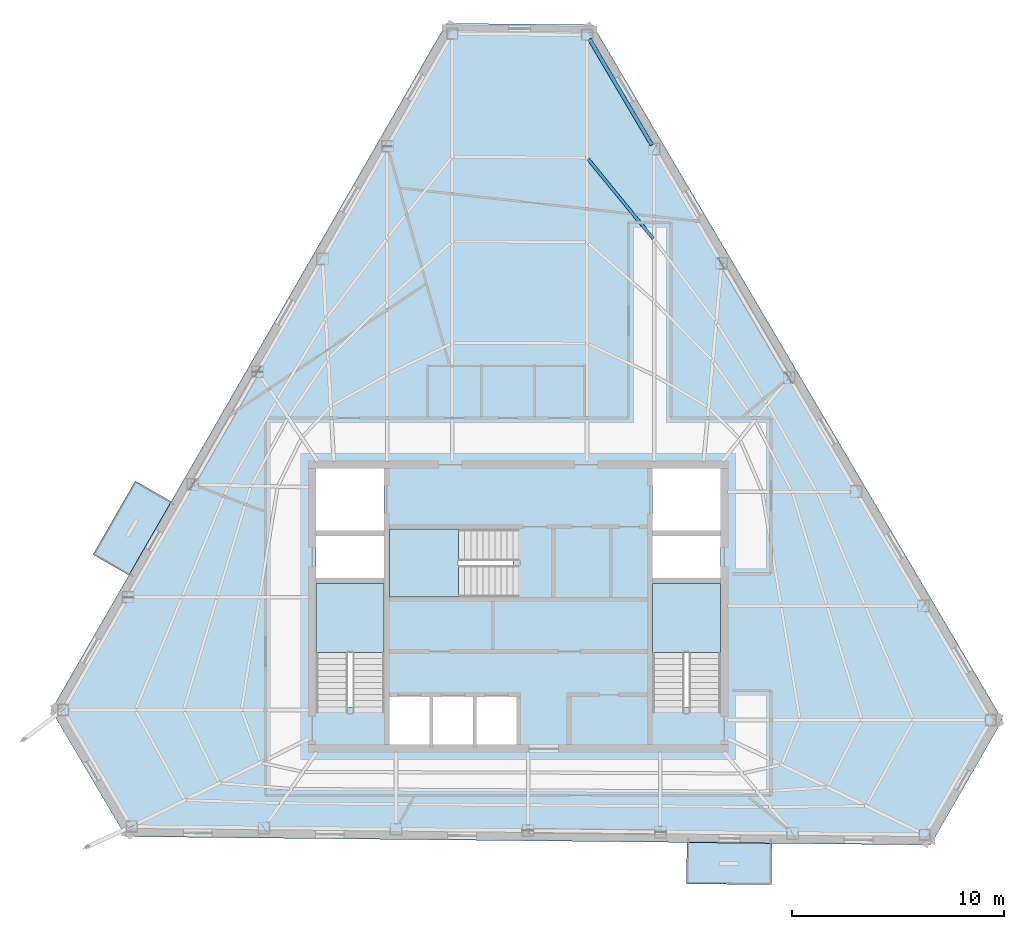
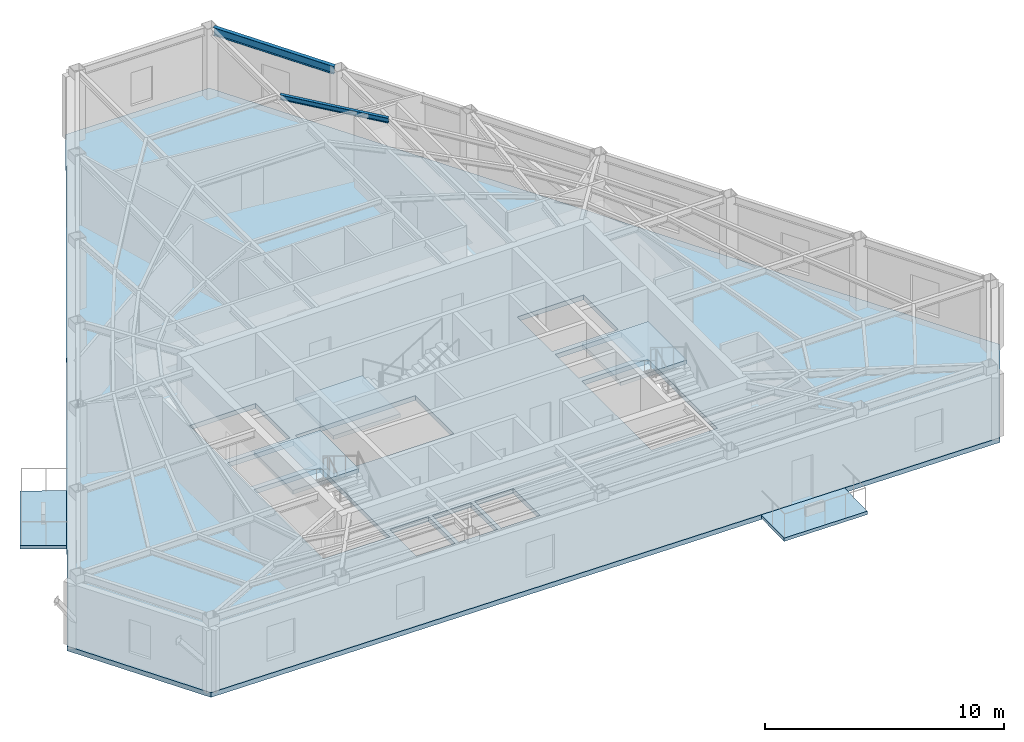
# One storey, part 3 of 11: 6 slabs, 2 beams, 3 elements without a shape of their own.
"""IFC4 building model written with IfcOpenShell, lengths in metres."""

from ifc_helpers import new_model, si_unit, direction, frame, origin, origin_2d, place, context, subcontext, project, spatial, polyline, i_section, outline, extrude, material, layer, layer_set, material_profile, profile_set, type_object, element, aggregate, save


model = new_model("IFC4")

# Units and contexts
model_context = context("Model", 3, precision=1e-05, world=origin(), true_north=direction((0.0, 1.0)))
body_context = subcontext(model_context, "Body", "Model", "MODEL_VIEW")
ifc_project = project(units=[si_unit("LENGTHUNIT", "METRE"), si_unit("AREAUNIT", "SQUARE_METRE"), si_unit("VOLUMEUNIT", "CUBIC_METRE"), si_unit("PLANEANGLEUNIT", "RADIAN"), si_unit("MASSUNIT", "GRAM", prefix="KILO")], contexts=[model_context])

# Site, building, storey
site_placement = place(None, origin())
site = spatial("IfcSite", under=ifc_project, at=site_placement, CompositionType="ELEMENT")
building_placement = place(site_placement, origin())
building = spatial("IfcBuilding", under=site, at=building_placement, Name="Kavelnor Concourse Tower", CompositionType="ELEMENT")
storey_placement = place(building_placement, frame((0.0, 0.0, 262.60009765625)))
storey = spatial("IfcBuildingStorey", under=building, at=storey_placement, Name="L66", CompositionType="ELEMENT", Elevation=262.60009765625)

# Beams
ifc_material_1 = material(Name="Steel Grade 350", Category="steel")
ifc_material_profile_1 = material_profile(ifc_material_1, i_section(OverallWidth=0.14599609375, OverallDepth=0.256103515625, WebThickness=0.00634765625, FlangeThickness=0.010986328125, at=origin_2d()), Name="250UB37")
ifc_profile_set_1 = profile_set([ifc_material_profile_1], Name="Steel Grade 350")
beam_type_1 = type_object("IfcBeamType", Name="BM-JOIST-250", PredefinedType="JOIST", material=ifc_profile_set_1)
beam_1_placement = place(storey_placement, frame((44.354736328125, 33.43994140625, 3.48193359375), z_axis=(-0.633377852711, 0.77384268149, 0.0), x_axis=(-0.77384268149, -0.633377852711, 0.0)))
element("IfcBeam", 1, at=beam_1_placement, inside=storey, type_object=beam_type_1, Name="L66 Secondary Composite Joist 14-3", PredefinedType="JOIST", context=body_context, shape_type="SweptSolid", body=[
    extrude(i_section(OverallWidth=0.14599609375, OverallDepth=0.256103515625, WebThickness=0.00634765625, FlangeThickness=0.010986328125, at=origin_2d()), origin(), (0.0, 0.0, 1.0), 4.840576171875),
])
ifc_material_profile_2 = material_profile(ifc_material_1, i_section(OverallWidth=0.177978515625, OverallDepth=0.406005859375, WebThickness=0.0078125, FlangeThickness=0.0126953125, at=origin_2d()), Name="410UB59")
ifc_profile_set_2 = profile_set([ifc_material_profile_2], Name="Steel Grade 350")
beam_type_2 = type_object("IfcBeamType", Name="BM-SPANDREL-Z4", PredefinedType="SPANDREL", material=ifc_profile_set_2)
beam_2_placement = place(storey_placement, frame((44.29248046875, 37.848876953125, 3.406982421875), z_axis=(-0.507681136357, 0.861545044549, 0.0), x_axis=(-0.861545044549, -0.507681136357, 0.0)))
element("IfcBeam", 2, at=beam_2_placement, inside=storey, type_object=beam_type_2, Name="L66 Perimeter Tube Spandrel Beam F2-B5", PredefinedType="SPANDREL", context=body_context, shape_type="SweptSolid", body=[
    extrude(i_section(OverallWidth=0.177978515625, OverallDepth=0.406005859375, WebThickness=0.0078125, FlangeThickness=0.0126953125, at=origin_2d()), origin(), (0.0, 0.0, 1.0), 5.793212890625),
])

# Slabs
ifc_material_2 = material(Name="Concrete C40/50", Category="concrete")
ifc_layer_1 = layer(ifc_material_2, 0.169921875, Name="Concrete C40/50")
ifc_layer_set_1 = layer_set([ifc_layer_1], Name="Concrete C40/50")
slab_type_1 = type_object("IfcSlabType", Name="SLB-BALCONY-170", PredefinedType="FLOOR", material=ifc_layer_set_1)
slab_1_placement = place(storey_placement, frame((0.0, 0.0, -0.170166015625)))
element("IfcSlab", 3, at=slab_1_placement, inside=storey, type_object=slab_type_1, Name="L66 Cantilevered Tree Balcony Slab 1", PredefinedType="FLOOR", context=body_context, shape_type="SweptSolid", body=[
    extrude(outline(polyline([(17.96240234375, 18.556640625), (19.957275390625, 22.023681640625), (21.6474609375, 21.05126953125), (19.652587890625, 17.584228515625), (17.96240234375, 18.556640625)])), origin(), (0.0, 0.0, 1.0), 0.170166015625),
])
slab_2_placement = place(storey_placement, frame((0.0, 0.0, -0.170166015625)))
element("IfcSlab", 4, at=slab_2_placement, inside=storey, type_object=slab_type_1, Name="L66 Cantilevered Tree Balcony Slab 2", PredefinedType="FLOOR", context=body_context, shape_type="SweptSolid", body=[
    extrude(outline(polyline([(49.9228515625, 3.001953125), (45.923095703125, 3.04345703125), (45.943359375, 4.993408203125), (49.943115234375, 4.951904296875), (49.9228515625, 3.001953125)])), origin(), (0.0, 0.0, 1.0), 0.170166015625),
])

# Stair, slab
stair_type = type_object("IfcStairType", Name="STR-CORE-1500", PredefinedType="HALF_TURN_STAIR", material=ifc_material_2)
stair_1_placement = place(storey_placement, origin())
stair_1 = element("IfcStair", 5, at=stair_1_placement, inside=storey, type_object=stair_type, Name="L66 ST1", PredefinedType="HALF_TURN_STAIR")
ifc_layer_2 = layer(ifc_material_2, 0.199951171875, Name="Concrete C40/50")
ifc_layer_set_2 = layer_set([ifc_layer_2], Name="Concrete C40/50")
slab_type_2 = type_object("IfcSlabType", Name="SLB-LANDING-200", PredefinedType="LANDING", material=ifc_layer_set_2)
slab_3_placement = place(storey_placement, frame((0.0, 0.0, 1.724853515625)))
slab_3 = element("IfcSlab", 6, at=slab_3_placement, type_object=slab_type_2, Name="ST1 landing 1", PredefinedType="LANDING", context=body_context, shape_type="SweptSolid", body=[
    extrude(outline(polyline([(31.679931640625, 13.949951171875), (31.679931640625, 17.199951171875), (28.47998046875, 17.199951171875), (28.47998046875, 13.949951171875), (31.679931640625, 13.949951171875)])), origin(), (0.0, 0.0, 1.0), 0.199951171875),
])
aggregate(stair_1, [slab_3])

stair_2_placement = place(storey_placement, origin())
stair_2 = element("IfcStair", 7, at=stair_2_placement, inside=storey, type_object=stair_type, Name="L66 ST2", PredefinedType="HALF_TURN_STAIR")
slab_4_placement = place(storey_placement, frame((0.0, 0.0, 1.724853515625)))
slab_4 = element("IfcSlab", 8, at=slab_4_placement, type_object=slab_type_2, Name="ST2 landing 1", PredefinedType="LANDING", context=body_context, shape_type="SweptSolid", body=[
    extrude(outline(polyline([(47.52001953125, 13.949951171875), (47.52001953125, 17.199951171875), (44.320068359375, 17.199951171875), (44.320068359375, 13.949951171875), (47.52001953125, 13.949951171875)])), origin(), (0.0, 0.0, 1.0), 0.199951171875),
])
aggregate(stair_2, [slab_4])

stair_3_placement = place(storey_placement, origin())
stair_3 = element("IfcStair", 9, at=stair_3_placement, inside=storey, type_object=stair_type, Name="L66 ST3", PredefinedType="HALF_TURN_STAIR")
slab_5_placement = place(storey_placement, frame((0.0, 0.0, 1.724853515625)))
slab_5 = element("IfcSlab", 10, at=slab_5_placement, type_object=slab_type_2, Name="ST3 landing 1", PredefinedType="LANDING", context=body_context, shape_type="SweptSolid", body=[
    extrude(outline(polyline([(35.18994140625, 19.760009765625), (31.93994140625, 19.760009765625), (31.93994140625, 16.56005859375), (35.18994140625, 16.56005859375), (35.18994140625, 19.760009765625)])), origin(), (0.0, 0.0, 1.0), 0.199951171875),
])
aggregate(stair_3, [slab_5])

# Slab
ifc_layer_3 = layer(ifc_material_2, 0.239990234375, Name="Concrete C40/50")
ifc_layer_set_3 = layer_set([ifc_layer_3], Name="Concrete C40/50")
slab_type_3 = type_object("IfcSlabType", Name="SLB-OFFICE-240", PredefinedType="FLOOR", material=ifc_layer_set_3)
slab_6_placement = place(storey_placement, frame((0.0, 0.0, -0.239990234375)))
element("IfcSlab", 11, at=slab_6_placement, inside=storey, type_object=slab_type_3, Name="L66 Composite Structural Floor Slab", PredefinedType="FLOOR", context=body_context, shape_type="SweptSolid", body=[
    extrude(outline(polyline([(41.512939453125, 43.510986328125), (34.611083984375, 43.582763671875), (15.996337890625, 11.2294921875), (19.50927734375, 5.26806640625), (57.421142578125, 4.8740234375), (60.81005859375, 10.763916015625), (41.512939453125, 43.510986328125)]), holes=[polyline([(28.47998046875, 11.3798828125), (31.679931640625, 11.3798828125), (31.679931640625, 17.199951171875), (28.47998046875, 17.199951171875), (28.47998046875, 11.3798828125)]), polyline([(44.320068359375, 11.3798828125), (47.52001953125, 11.3798828125), (47.52001953125, 17.199951171875), (44.320068359375, 17.199951171875), (44.320068359375, 11.3798828125)]), polyline([(31.93994140625, 16.56005859375), (37.760009765625, 16.56005859375), (37.760009765625, 19.760009765625), (31.93994140625, 19.760009765625), (31.93994140625, 16.56005859375)]), polyline([(28.47998046875, 19.699951171875), (31.679931640625, 19.699951171875), (31.679931640625, 22.60009765625), (28.47998046875, 22.60009765625), (28.47998046875, 19.699951171875)]), polyline([(44.320068359375, 19.699951171875), (47.52001953125, 19.699951171875), (47.52001953125, 22.60009765625), (44.320068359375, 22.60009765625), (44.320068359375, 19.699951171875)]), polyline([(31.93994140625, 9.60009765625), (33.81005859375, 9.60009765625), (33.81005859375, 11.840087890625), (31.93994140625, 11.840087890625), (31.93994140625, 9.60009765625)]), polyline([(33.989990234375, 9.60009765625), (35.860107421875, 9.60009765625), (35.860107421875, 11.840087890625), (33.989990234375, 11.840087890625), (33.989990234375, 9.60009765625)]), polyline([(36.0400390625, 9.60009765625), (37.909912109375, 9.60009765625), (37.909912109375, 11.840087890625), (36.0400390625, 11.840087890625), (36.0400390625, 9.60009765625)]), polyline([(28.47998046875, 17.4599609375), (31.679931640625, 17.4599609375), (31.679931640625, 19.43994140625), (28.47998046875, 19.43994140625), (28.47998046875, 17.4599609375)]), polyline([(44.320068359375, 17.4599609375), (47.52001953125, 17.4599609375), (47.52001953125, 19.43994140625), (44.320068359375, 19.43994140625), (44.320068359375, 17.4599609375)])]), origin(), (0.0, 0.0, 1.0), 0.239990234375),
])

save(model, "model.ifc")
